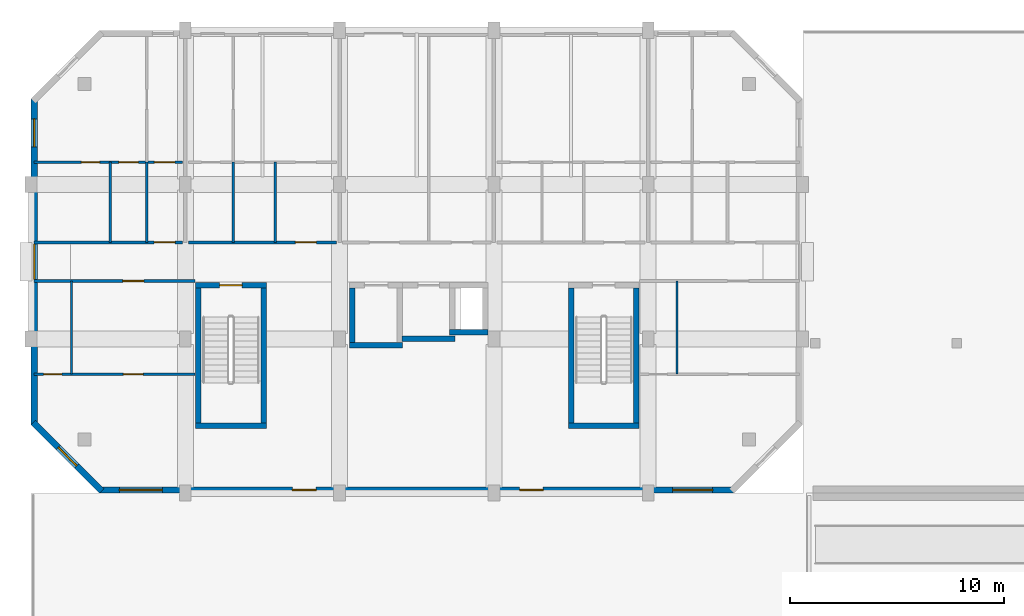
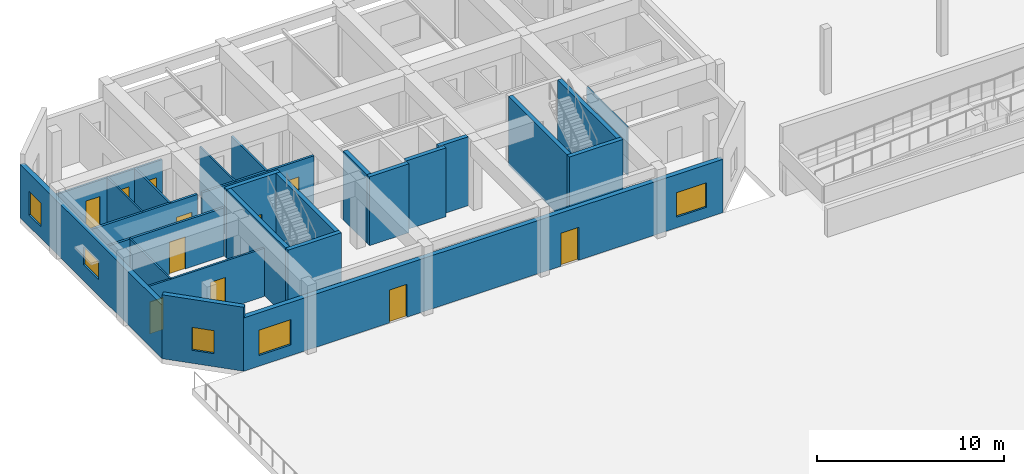
# One storey, part 59 of 85: 25 walls, 11 doors, 5 windows, 16 openings.
"""IFC4 building model written with IfcOpenShell, lengths in metres."""

from ifc_helpers import new_model, si_unit, direction, frame, frame_2d, origin, place, context, subcontext, project, spatial, rectangle, extrude, material, layer, layer_set, type_object, element, fill, save


model = new_model("IFC4")

# Units and contexts
model_context = context("Model", 3, precision=1e-05, world=origin(), true_north=direction((0.0, 1.0)))
body_context = subcontext(model_context, "Body", "Model", "MODEL_VIEW")
ifc_project = project(units=[si_unit("LENGTHUNIT", "METRE"), si_unit("AREAUNIT", "SQUARE_METRE"), si_unit("VOLUMEUNIT", "CUBIC_METRE"), si_unit("PLANEANGLEUNIT", "RADIAN"), si_unit("MASSUNIT", "GRAM", prefix="KILO")], contexts=[model_context])

# Site, building, storey
site_placement = place(None, origin())
site = spatial("IfcSite", under=ifc_project, at=site_placement, CompositionType="ELEMENT")
building_placement = place(site_placement, origin())
building = spatial("IfcBuilding", under=site, at=building_placement, Name="Ochrevale Crest", CompositionType="ELEMENT")
storey_placement = place(building_placement, origin())
storey = spatial("IfcBuildingStorey", under=building, at=storey_placement, Name="L00", CompositionType="ELEMENT", Elevation=0.0)

# Wall, opening, door
ifc_material_1 = material(Name="Gypsum plasterboard", Category="gypsum")
ifc_layer_1 = layer(ifc_material_1, 0.139892578125)
ifc_layer_set_1 = layer_set([ifc_layer_1], Name="Gypsum plasterboard")
wall_type_1 = type_object("IfcWallType", Name="WL-COR-140", PredefinedType="PARTITIONING", material=ifc_layer_set_1)
wall_1_placement = place(storey_placement, frame((0.139892578125, 83.699951171875, 0.0), z_axis=(0.0, 0.0, 1.0), x_axis=(1.0, 0.0, 0.0)))
wall_1 = element("IfcWall", 1, at=wall_1_placement, inside=storey, type_object=wall_type_1, Name="Apartment B-L00-U1 corridor wall", PredefinedType="PARTITIONING", context=body_context, shape_type="SweptSolid", body=[
    extrude(rectangle(XDim=6.920166015625, YDim=0.139892578125, at=frame_2d((3.4599609375, 0.0))), origin(), (0.0, 0.0, 1.0), 3.14990234375),
])
opening_1_placement = place(wall_1_placement, frame((6.5849609375, 0.0, 0.0), z_axis=(0.0, 0.0, 1.0), x_axis=(-1.0, 0.0, 0.0)))
opening_1 = element("IfcOpeningElement", 2, at=opening_1_placement, cuts=wall_1, Name="Opening FD01", PredefinedType="OPENING", context=body_context, shape_type="SweptSolid", body=[
    extrude(rectangle(XDim=0.97998046875, YDim=2.10009765625, at=frame_2d((0.489990234375, 1.050048828125))), frame((0.0, 0.080078125, 0.0), z_axis=(0.0, -1.0, 0.0), x_axis=(1.0, 0.0, 0.0)), (0.0, 0.0, 1.0), 0.159912109375),
])
ifc_material_2 = material(Name="Solid-core FSC hardwood", Category="wood")
door_type_1 = type_object("IfcDoorType", Name="DR-APT-950", OperationType="NOTDEFINED", PredefinedType="DOOR", material=ifc_material_2)
door_1_placement = place(opening_1_placement, origin())
door_1 = element("IfcDoor", 3, at=door_1_placement, inside=storey, type_object=door_type_1, Name="Apartment B-L00-U1 entrance door", OperationType="SINGLE_SWING_RIGHT", OverallHeight=2.10009765625, OverallWidth=0.97998046875, PredefinedType="DOOR", context=body_context, shape_type="SweptSolid", body=[
    extrude(rectangle(XDim=0.97998046875, YDim=2.10009765625, at=frame_2d((0.489990234375, 1.050048828125))), frame((0.0, 0.02490234375, 0.0), z_axis=(0.0, -1.0, 0.0), x_axis=(1.0, 0.0, 0.0)), (0.0, 0.0, 1.0), 0.050048828125),
])
fill(opening_1, door_1)

wall_2_placement = place(storey_placement, frame((7.340087890625, 83.699951171875, 0.0), z_axis=(0.0, 0.0, 1.0), x_axis=(1.0, 0.0, 0.0)))
wall_2 = element("IfcWall", 4, at=wall_2_placement, inside=storey, type_object=wall_type_1, Name="Apartment B-L00-U2 corridor wall", PredefinedType="PARTITIONING", context=body_context, shape_type="SweptSolid", body=[
    extrude(rectangle(XDim=6.919921875, YDim=0.139892578125, at=frame_2d((3.4599609375, 0.0))), origin(), (0.0, 0.0, 1.0), 3.14990234375),
])
opening_2_placement = place(wall_2_placement, frame((4.9951171875, 0.0, 0.0)))
opening_2 = element("IfcOpeningElement", 5, at=opening_2_placement, cuts=wall_2, Name="Opening FD01", PredefinedType="OPENING", context=body_context, shape_type="SweptSolid", body=[
    extrude(rectangle(XDim=0.97998046875, YDim=2.10009765625, at=frame_2d((0.489990234375, 1.050048828125))), frame((0.0, 0.080078125, 0.0), z_axis=(0.0, -1.0, 0.0), x_axis=(1.0, 0.0, 0.0)), (0.0, 0.0, 1.0), 0.159912109375),
])
door_2_placement = place(opening_2_placement, origin())
door_2 = element("IfcDoor", 6, at=door_2_placement, inside=storey, type_object=door_type_1, Name="Apartment B-L00-U2 entrance door", OperationType="SINGLE_SWING_LEFT", OverallHeight=2.10009765625, OverallWidth=0.97998046875, PredefinedType="DOOR", context=body_context, shape_type="SweptSolid", body=[
    extrude(rectangle(XDim=0.97998046875, YDim=2.10009765625, at=frame_2d((0.489990234375, 1.050048828125))), frame((0.0, 0.02490234375, 0.0), z_axis=(0.0, -1.0, 0.0), x_axis=(1.0, 0.0, 0.0)), (0.0, 0.0, 1.0), 0.050048828125),
])
fill(opening_2, door_2)

wall_3_placement = place(storey_placement, frame((0.139892578125, 81.89990234375, 0.0), z_axis=(0.0, 0.0, 1.0), x_axis=(1.0, 0.0, 0.0)))
wall_3 = element("IfcWall", 7, at=wall_3_placement, inside=storey, type_object=wall_type_1, Name="Suite B-L00-CW corridor wall", PredefinedType="PARTITIONING", context=body_context, shape_type="SweptSolid", body=[
    extrude(rectangle(XDim=7.52001953125, YDim=0.139892578125, at=frame_2d((3.760009765625, 0.0))), origin(), (0.0, 0.0, 1.0), 3.14990234375),
])
opening_3_placement = place(wall_3_placement, frame((5.125, 0.0, 0.0), z_axis=(0.0, 0.0, 1.0), x_axis=(-1.0, 0.0, 0.0)))
opening_3 = element("IfcOpeningElement", 8, at=opening_3_placement, cuts=wall_3, Name="Opening FD01", PredefinedType="OPENING", context=body_context, shape_type="SweptSolid", body=[
    extrude(rectangle(XDim=0.97998046875, YDim=2.10009765625, at=frame_2d((0.489990234375, 1.050048828125))), frame((0.0, 0.080078125, 0.0), z_axis=(0.0, -1.0, 0.0), x_axis=(1.0, 0.0, 0.0)), (0.0, 0.0, 1.0), 0.159912109375),
])
door_3_placement = place(opening_3_placement, origin())
door_3 = element("IfcDoor", 9, at=door_3_placement, inside=storey, type_object=door_type_1, Name="Suite B-L00-CW entrance door", OperationType="SINGLE_SWING_RIGHT", OverallHeight=2.10009765625, OverallWidth=0.97998046875, PredefinedType="DOOR", context=body_context, shape_type="SweptSolid", body=[
    extrude(rectangle(XDim=0.97998046875, YDim=2.10009765625, at=frame_2d((0.489990234375, 1.050048828125))), frame((0.0, 0.02490234375, 0.0), z_axis=(0.0, -1.0, 0.0), x_axis=(1.0, 0.0, 0.0)), (0.0, 0.0, 1.0), 0.050048828125),
])
fill(opening_3, door_3)

# Wall
ifc_material_3 = material(Name="Precast concrete C50/60", Category="concrete")
ifc_layer_2 = layer(ifc_material_3, 0.2548828125)
ifc_layer_set_2 = layer_set([ifc_layer_2], Name="Precast concrete C50/60")
wall_type_2 = type_object("IfcWallType", Name="WL-CORE-255", PredefinedType="SHEAR", material=ifc_layer_set_2)
wall_4_placement = place(storey_placement, frame((7.672607421875, 75.14990234375, 0.0), z_axis=(0.0, 0.0, 1.0), x_axis=(1.0, 0.0, 0.0)))
element("IfcWall", 10, at=wall_4_placement, inside=storey, type_object=wall_type_2, Name="Block B L00 Stair 1 precast core shear wall S", PredefinedType="SHEAR", context=body_context, shape_type="SweptSolid", body=[
    extrude(rectangle(XDim=3.304931640625, YDim=0.2548828125, at=frame_2d((1.65234375, 0.0))), origin(), (0.0, 0.0, 1.0), 4.5),
])

# Wall, opening, door
wall_5_placement = place(storey_placement, frame((7.672607421875, 81.699951171875, 0.0), z_axis=(0.0, 0.0, 1.0), x_axis=(1.0, 0.0, 0.0)))
wall_5 = element("IfcWall", 11, at=wall_5_placement, inside=storey, type_object=wall_type_2, Name="Block B L00 Stair 1 precast core shear wall N", PredefinedType="SHEAR", context=body_context, shape_type="SweptSolid", body=[
    extrude(rectangle(XDim=3.304931640625, YDim=0.2548828125, at=frame_2d((1.65234375, 0.0))), origin(), (0.0, 0.0, 1.0), 4.5),
])
opening_4_placement = place(wall_5_placement, frame((2.177490234375, 0.0, 0.0), z_axis=(0.0, 0.0, 1.0), x_axis=(-1.0, 0.0, 0.0)))
opening_4 = element("IfcOpeningElement", 12, at=opening_4_placement, cuts=wall_5, Name="Opening FD03", PredefinedType="OPENING", context=body_context, shape_type="SweptSolid", body=[
    extrude(rectangle(XDim=1.050048828125, YDim=2.1201171875, at=frame_2d((0.52490234375, 1.06005859375))), frame((0.0, 0.137451171875, 0.0), z_axis=(0.0, -1.0, 0.0), x_axis=(1.0, 0.0, 0.0)), (0.0, 0.0, 1.0), 0.27490234375),
])
door_type_2 = type_object("IfcDoorType", Name="DR-ST-1050", OperationType="NOTDEFINED", PredefinedType="DOOR", material=ifc_material_2)
door_4_placement = place(opening_4_placement, origin())
door_4 = element("IfcDoor", 13, at=door_4_placement, inside=storey, type_object=door_type_2, Name="Block B L00 fire stair 1 door", OperationType="SINGLE_SWING_RIGHT", OverallHeight=2.1201171875, OverallWidth=1.050048828125, PredefinedType="DOOR", context=body_context, shape_type="SweptSolid", body=[
    extrude(rectangle(XDim=1.050048828125, YDim=2.1201171875, at=frame_2d((0.52490234375, 1.06005859375))), frame((0.0, 0.02490234375, 0.0), z_axis=(0.0, -1.0, 0.0), x_axis=(1.0, 0.0, 0.0)), (0.0, 0.0, 1.0), 0.050048828125),
])
fill(opening_4, door_4)

# Walls
for number, where, z_axis, x_axis, name in (
    (14, (7.800048828125, 75.277587890625, 0.0), (0.0, 0.0, 1.0), (0.0, 1.0, 0.0), "Block B L00 Stair 1 precast core shear wall W"),
    (15, (10.85009765625, 75.277587890625, 0.0), (0.0, 0.0, 1.0), (0.0, 1.0, 0.0), "Block B L00 Stair 1 precast core shear wall E"),
):
    element("IfcWall", number, at=place(storey_placement, frame(where, z_axis=z_axis, x_axis=x_axis)), inside=storey, type_object=wall_type_2, Name=name, PredefinedType="SHEAR", context=body_context, shape_type="SweptSolid", body=[
        extrude(rectangle(XDim=6.294921875, YDim=0.2548828125, at=frame_2d((3.1474609375, 0.0))), origin(), (0.0, 0.0, 1.0), 4.5),
    ])
wall_6_placement = place(storey_placement, frame((25.072509765625, 75.14990234375, 0.0), z_axis=(0.0, 0.0, 1.0), x_axis=(1.0, 0.0, 0.0)))
element("IfcWall", 16, at=wall_6_placement, inside=storey, type_object=wall_type_2, Name="Block B L00 Stair 2 precast core shear wall S", PredefinedType="SHEAR", context=body_context, shape_type="SweptSolid", body=[
    extrude(rectangle(XDim=3.304931640625, YDim=0.2548828125, at=frame_2d((1.65234375, 0.0))), origin(), (0.0, 0.0, 1.0), 4.5),
])
for number, where, z_axis, x_axis, name in (
    (17, (25.199951171875, 75.277587890625, 0.0), (0.0, 0.0, 1.0), (0.0, 1.0, 0.0), "Block B L00 Stair 2 precast core shear wall W"),
    (18, (28.25, 75.277587890625, 0.0), (0.0, 0.0, 1.0), (0.0, 1.0, 0.0), "Block B L00 Stair 2 precast core shear wall E"),
):
    element("IfcWall", number, at=place(storey_placement, frame(where, z_axis=z_axis, x_axis=x_axis)), inside=storey, type_object=wall_type_2, Name=name, PredefinedType="SHEAR", context=body_context, shape_type="SweptSolid", body=[
        extrude(rectangle(XDim=6.294921875, YDim=0.2548828125, at=frame_2d((3.1474609375, 0.0))), origin(), (0.0, 0.0, 1.0), 4.5),
    ])
wall_7_placement = place(storey_placement, frame((14.87255859375, 78.89990234375, 0.0), z_axis=(0.0, 0.0, 1.0), x_axis=(1.0, 0.0, 0.0)))
element("IfcWall", 19, at=wall_7_placement, inside=storey, type_object=wall_type_2, Name="Block B L00 Lift 1 precast shaft shear wall S", PredefinedType="SHEAR", context=body_context, shape_type="SweptSolid", body=[
    extrude(rectangle(XDim=2.454833984375, YDim=0.2548828125, at=frame_2d((1.2275390625, 0.0))), origin(), (0.0, 0.0, 1.0), 4.5),
])
wall_8_placement = place(storey_placement, frame((15.0, 79.027587890625, 0.0), z_axis=(0.0, 0.0, 1.0), x_axis=(0.0, 1.0, 0.0)))
element("IfcWall", 20, at=wall_8_placement, inside=storey, type_object=wall_type_2, Name="Block B L00 Lift 1 precast shaft shear wall W", PredefinedType="SHEAR", context=body_context, shape_type="SweptSolid", body=[
    extrude(rectangle(XDim=2.544921875, YDim=0.2548828125, at=frame_2d((1.2724609375, 0.0))), origin(), (0.0, 0.0, 1.0), 4.5),
])
wall_9_placement = place(storey_placement, frame((17.322509765625, 79.199951171875, 0.0), z_axis=(0.0, 0.0, 1.0), x_axis=(1.0, 0.0, 0.0)))
element("IfcWall", 21, at=wall_9_placement, inside=storey, type_object=wall_type_2, Name="Block B L00 Lift 2 precast shaft shear wall S", PredefinedType="SHEAR", context=body_context, shape_type="SweptSolid", body=[
    extrude(rectangle(XDim=2.455078125, YDim=0.2548828125, at=frame_2d((1.2275390625, 0.0))), origin(), (0.0, 0.0, 1.0), 4.5),
])
wall_10_placement = place(storey_placement, frame((19.5224609375, 79.5, 0.0), z_axis=(0.0, 0.0, 1.0), x_axis=(1.0, 0.0, 0.0)))
element("IfcWall", 22, at=wall_10_placement, inside=storey, type_object=wall_type_2, Name="Block B L00 services riser shaft core wall S", PredefinedType="SHEAR", context=body_context, shape_type="SweptSolid", body=[
    extrude(rectangle(XDim=1.804931640625, YDim=0.2548828125, at=frame_2d((0.90234375, 0.0))), origin(), (0.0, 0.0, 1.0), 4.5),
])

# Wall, openings, doors, windows
ifc_material_4 = material(Name="Clay face brickwork", Category="masonry")
ifc_layer_3 = layer(ifc_material_4, 0.2900390625)
ifc_layer_set_3 = layer_set([ifc_layer_3], Name="Clay face brickwork")
wall_type_3 = type_object("IfcWallType", Name="WL-EXT-BRICK-290", PredefinedType="SOLIDWALL", material=ifc_layer_set_3)
wall_11_placement = place(storey_placement, frame((3.199951171875, 72.14501953125, 0.0), z_axis=(0.0, 0.0, 1.0), x_axis=(1.0, 0.0, 0.0)))
wall_11 = element("IfcWall", 23, at=wall_11_placement, inside=storey, type_object=wall_type_3, Name="Block B L00 external facade wall E1", PredefinedType="SOLIDWALL", context=body_context, shape_type="SweptSolid", body=[
    extrude(rectangle(XDim=29.60009765625, YDim=0.2900390625, at=frame_2d((14.800048828125, 0.0))), origin(), (0.0, 0.0, 1.0), 3.47998046875),
])
opening_5_placement = place(wall_11_placement, frame((10.10009765625, 0.0, 0.0), z_axis=(0.0, 0.0, 1.0), x_axis=(-1.0, 0.0, 0.0)))
opening_5 = element("IfcOpeningElement", 24, at=opening_5_placement, cuts=wall_11, Name="Opening ED06", PredefinedType="OPENING", context=body_context, shape_type="SweptSolid", body=[
    extrude(rectangle(XDim=1.10009765625, YDim=2.14990234375, at=frame_2d((0.550048828125, 1.074951171875))), frame((0.0, 0.155029296875, 0.0), z_axis=(0.0, -1.0, 0.0), x_axis=(1.0, 0.0, 0.0)), (0.0, 0.0, 1.0), 0.31005859375),
])
opening_6_placement = place(wall_11_placement, frame((20.7001953125, 0.0, 0.0), z_axis=(0.0, 0.0, 1.0), x_axis=(-1.0, 0.0, 0.0)))
opening_6 = element("IfcOpeningElement", 25, at=opening_6_placement, cuts=wall_11, Name="Opening ED06", PredefinedType="OPENING", context=body_context, shape_type="SweptSolid", body=[
    extrude(rectangle(XDim=1.10009765625, YDim=2.14990234375, at=frame_2d((0.550048828125, 1.074951171875))), frame((0.0, 0.155029296875, 0.0), z_axis=(0.0, -1.0, 0.0), x_axis=(1.0, 0.0, 0.0)), (0.0, 0.0, 1.0), 0.31005859375),
])
opening_7_placement = place(wall_11_placement, frame((26.742431640625, 0.0, 0.699951171875)))
opening_7 = element("IfcOpeningElement", 26, at=opening_7_placement, cuts=wall_11, Name="Opening W11", PredefinedType="OPENING", context=body_context, shape_type="SweptSolid", body=[
    extrude(rectangle(XDim=1.860107421875, YDim=1.60009765625, at=frame_2d((0.93017578125, 0.800048828125))), frame((0.0, 0.155029296875, 0.0), z_axis=(0.0, -1.0, 0.0), x_axis=(1.0, 0.0, 0.0)), (0.0, 0.0, 1.0), 0.31005859375),
])
opening_8_placement = place(wall_11_placement, frame((0.927490234375, 0.0, 0.699951171875)))
opening_8 = element("IfcOpeningElement", 27, at=opening_8_placement, cuts=wall_11, Name="Opening W12", PredefinedType="OPENING", context=body_context, shape_type="SweptSolid", body=[
    extrude(rectangle(XDim=2.0, YDim=1.64990234375, at=frame_2d((1.0, 0.824951171875))), frame((0.0, 0.155029296875, 0.0), z_axis=(0.0, -1.0, 0.0), x_axis=(1.0, 0.0, 0.0)), (0.0, 0.0, 1.0), 0.31005859375),
])
ifc_material_5 = material(Name="Anodised aluminium 6063-T5 and toughened glass", Category="aluminium")
door_type_3 = type_object("IfcDoorType", Name="DR-EXT-1100", OperationType="NOTDEFINED", PredefinedType="DOOR", material=ifc_material_5)
door_5_placement = place(opening_5_placement, origin())
door_5 = element("IfcDoor", 28, at=door_5_placement, inside=storey, type_object=door_type_3, Name="Block B fire-stair 1 final exit door", OperationType="SINGLE_SWING_LEFT", OverallHeight=2.14990234375, OverallWidth=1.10009765625, PredefinedType="DOOR", context=body_context, shape_type="SweptSolid", body=[
    extrude(rectangle(XDim=1.10009765625, YDim=2.14990234375, at=frame_2d((0.550048828125, 1.074951171875))), frame((0.0, 0.02490234375, 0.0), z_axis=(0.0, -1.0, 0.0), x_axis=(1.0, 0.0, 0.0)), (0.0, 0.0, 1.0), 0.050048828125),
])
fill(opening_5, door_5)
door_6_placement = place(opening_6_placement, origin())
door_6 = element("IfcDoor", 29, at=door_6_placement, inside=storey, type_object=door_type_3, Name="Block B fire-stair 2 final exit door", OperationType="SINGLE_SWING_RIGHT", OverallHeight=2.14990234375, OverallWidth=1.10009765625, PredefinedType="DOOR", context=body_context, shape_type="SweptSolid", body=[
    extrude(rectangle(XDim=1.10009765625, YDim=2.14990234375, at=frame_2d((0.550048828125, 1.074951171875))), frame((0.0, 0.02490234375, 0.0), z_axis=(0.0, -1.0, 0.0), x_axis=(1.0, 0.0, 0.0)), (0.0, 0.0, 1.0), 0.050048828125),
])
fill(opening_6, door_6)
ifc_material_6 = material(Name="Anodised aluminium 6063-T5 and low-E double glazing", Category="aluminium")
window_type_1 = type_object("IfcWindowType", Name="WIN-W11", PartitioningType="SINGLE_PANEL", PredefinedType="WINDOW", material=ifc_material_6)
window_1_placement = place(opening_7_placement, origin())
window_1 = element("IfcWindow", 30, at=window_1_placement, inside=storey, type_object=window_type_1, Name="Block B L00 Suite B-L00-CE Master Bedroom window", OverallHeight=1.60009765625, OverallWidth=1.860107421875, PartitioningType="SINGLE_PANEL", PredefinedType="WINDOW", context=body_context, shape_type="SweptSolid", body=[
    extrude(rectangle(XDim=1.860107421875, YDim=1.60009765625, at=frame_2d((0.93017578125, 0.800048828125))), frame((0.0, 0.030029296875, 0.0), z_axis=(0.0, -1.0, 0.0), x_axis=(1.0, 0.0, 0.0)), (0.0, 0.0, 1.0), 0.06005859375),
])
fill(opening_7, window_1)
window_type_2 = type_object("IfcWindowType", Name="WIN-W12", PartitioningType="SINGLE_PANEL", PredefinedType="WINDOW", material=ifc_material_6)
window_2_placement = place(opening_8_placement, origin())
window_2 = element("IfcWindow", 31, at=window_2_placement, inside=storey, type_object=window_type_2, Name="Block B L00 Suite B-L00-CW Garden Alcove Studio window", OverallHeight=1.64990234375, OverallWidth=2.0, PartitioningType="SINGLE_PANEL", PredefinedType="WINDOW", context=body_context, shape_type="SweptSolid", body=[
    extrude(rectangle(XDim=2.0, YDim=1.64990234375, at=frame_2d((1.0, 0.824951171875))), frame((0.0, 0.030029296875, 0.0), z_axis=(0.0, -1.0, 0.0), x_axis=(1.0, 0.0, 0.0)), (0.0, 0.0, 1.0), 0.06005859375),
])
fill(opening_8, window_2)

# Wall, openings, windows
wall_12_placement = place(storey_placement, frame((0.14501953125, 90.39990234375, 0.0), z_axis=(0.0, 0.0, 1.0), x_axis=(0.0, -1.0, 0.0)))
wall_12 = element("IfcWall", 32, at=wall_12_placement, inside=storey, type_object=wall_type_3, Name="Block B L00 external facade wall E7", PredefinedType="SOLIDWALL", context=body_context, shape_type="SweptSolid", body=[
    extrude(rectangle(XDim=15.199951171875, YDim=0.2900390625, at=frame_2d((7.60009765625, 0.0))), origin(), (0.0, 0.0, 1.0), 3.47998046875),
])
opening_9_placement = place(wall_12_placement, frame((6.77490234375, 0.0, 1.050048828125)))
opening_9 = element("IfcOpeningElement", 33, at=opening_9_placement, cuts=wall_12, Name="Opening W19", PredefinedType="OPENING", context=body_context, shape_type="SweptSolid", body=[
    extrude(rectangle(XDim=1.64990234375, YDim=1.14990234375, at=frame_2d((0.824951171875, 0.574951171875))), frame((0.0, 0.155029296875, 0.0), z_axis=(0.0, -1.0, 0.0), x_axis=(1.0, 0.0, 0.0)), (0.0, 0.0, 1.0), 0.31005859375),
])
opening_10_placement = place(wall_12_placement, frame((0.93994140625, 0.0, 0.75)))
opening_10 = element("IfcOpeningElement", 34, at=opening_10_placement, cuts=wall_12, Name="Opening W30", PredefinedType="OPENING", context=body_context, shape_type="SweptSolid", body=[
    extrude(rectangle(XDim=1.300048828125, YDim=1.550048828125, at=frame_2d((0.64990234375, 0.77490234375))), frame((0.0, 0.155029296875, 0.0), z_axis=(0.0, -1.0, 0.0), x_axis=(1.0, 0.0, 0.0)), (0.0, 0.0, 1.0), 0.31005859375),
])
window_type_3 = type_object("IfcWindowType", Name="WIN-W19", PartitioningType="SINGLE_PANEL", PredefinedType="WINDOW", material=ifc_material_6)
window_3_placement = place(opening_9_placement, origin())
window_3 = element("IfcWindow", 35, at=window_3_placement, inside=storey, type_object=window_type_3, Name="Block B L00 corridor end daylight window W", OverallHeight=1.14990234375, OverallWidth=1.64990234375, PartitioningType="SINGLE_PANEL", PredefinedType="WINDOW", context=body_context, shape_type="SweptSolid", body=[
    extrude(rectangle(XDim=1.64990234375, YDim=1.14990234375, at=frame_2d((0.824951171875, 0.574951171875))), frame((0.0, 0.030029296875, 0.0), z_axis=(0.0, -1.0, 0.0), x_axis=(1.0, 0.0, 0.0)), (0.0, 0.0, 1.0), 0.06005859375),
])
fill(opening_9, window_3)
window_type_4 = type_object("IfcWindowType", Name="WIN-W30", PartitioningType="SINGLE_PANEL", PredefinedType="WINDOW", material=ifc_material_6)
window_4_placement = place(opening_10_placement, origin())
window_4 = element("IfcWindow", 36, at=window_4_placement, inside=storey, type_object=window_type_4, Name="Block B L00 side suite window W", OverallHeight=1.550048828125, OverallWidth=1.300048828125, PartitioningType="SINGLE_PANEL", PredefinedType="WINDOW", context=body_context, shape_type="SweptSolid", body=[
    extrude(rectangle(XDim=1.300048828125, YDim=1.550048828125, at=frame_2d((0.64990234375, 0.77490234375))), frame((0.0, 0.030029296875, 0.0), z_axis=(0.0, -1.0, 0.0), x_axis=(1.0, 0.0, 0.0)), (0.0, 0.0, 1.0), 0.06005859375),
])
fill(opening_10, window_4)

# Wall, opening, window
wall_13_placement = place(storey_placement, frame((0.1025390625, 75.302490234375, 0.0), z_axis=(0.0, 0.0, 1.0), x_axis=(0.707106781187, -0.707106781187, 0.0)))
wall_13 = element("IfcWall", 37, at=wall_13_placement, inside=storey, type_object=wall_type_3, Name="Block B L00 external facade wall E8", PredefinedType="SOLIDWALL", context=body_context, shape_type="SweptSolid", body=[
    extrude(rectangle(XDim=4.525390625, YDim=0.2900390625, at=frame_2d((2.2626953125, 0.0))), origin(), (0.0, 0.0, 1.0), 4.175048828125),
])
opening_11_placement = place(wall_13_placement, frame((1.652587890625, 0.0, 0.85009765625)))
opening_11 = element("IfcOpeningElement", 38, at=opening_11_placement, cuts=wall_13, Name="Opening W06", PredefinedType="OPENING", context=body_context, shape_type="SweptSolid", body=[
    extrude(rectangle(XDim=1.219970703125, YDim=1.5, at=frame_2d((0.60986328125, 0.75))), frame((0.0, 0.155029296875, 0.0), z_axis=(0.0, -1.0, 0.0), x_axis=(1.0, 0.0, 0.0)), (0.0, 0.0, 1.0), 0.31005859375),
])
window_type_5 = type_object("IfcWindowType", Name="WIN-W06", PartitioningType="SINGLE_PANEL", PredefinedType="WINDOW", material=ifc_material_6)
window_5_placement = place(opening_11_placement, origin())
window_5 = element("IfcWindow", 39, at=window_5_placement, inside=storey, type_object=window_type_5, Name="Block B L00 corner room casement window 8", OverallHeight=1.5, OverallWidth=1.219970703125, PartitioningType="SINGLE_PANEL", PredefinedType="WINDOW", context=body_context, shape_type="SweptSolid", body=[
    extrude(rectangle(XDim=1.219970703125, YDim=1.5, at=frame_2d((0.60986328125, 0.75))), frame((0.0, 0.030029296875, 0.0), z_axis=(0.0, -1.0, 0.0), x_axis=(1.0, 0.0, 0.0)), (0.0, 0.0, 1.0), 0.06005859375),
])
fill(opening_11, window_5)

# Wall
ifc_layer_4 = layer(ifc_material_1, 0.1201171875)
ifc_layer_set_4 = layer_set([ifc_layer_4], Name="Gypsum plasterboard")
wall_type_4 = type_object("IfcWallType", Name="WL-PART-120", PredefinedType="PARTITIONING", material=ifc_layer_set_4)
wall_14_placement = place(storey_placement, frame((5.409912109375, 83.699951171875, 0.0), z_axis=(0.0, 0.0, 1.0), x_axis=(0.0, 1.0, 0.0)))
element("IfcWall", 40, at=wall_14_placement, inside=storey, type_object=wall_type_4, Name="Apartment B-L00-U1 kitchen-foyer wall", PredefinedType="PARTITIONING", context=body_context, shape_type="SweptSolid", body=[
    extrude(rectangle(XDim=3.75, YDim=0.1201171875, at=frame_2d((1.875, 0.0))), origin(), (0.0, 0.0, 1.0), 3.14990234375),
])

# Wall, openings, doors
wall_15_placement = place(storey_placement, frame((0.139892578125, 87.449951171875, 0.0), z_axis=(0.0, 0.0, 1.0), x_axis=(1.0, 0.0, 0.0)))
wall_15 = element("IfcWall", 41, at=wall_15_placement, inside=storey, type_object=wall_type_4, Name="Apartment B-L00-U1 central partition", PredefinedType="PARTITIONING", context=body_context, shape_type="SweptSolid", body=[
    extrude(rectangle(XDim=6.920166015625, YDim=0.1201171875, at=frame_2d((3.4599609375, 0.0))), origin(), (0.0, 0.0, 1.0), 3.14990234375),
])
opening_12_placement = place(wall_15_placement, frame((2.2099609375, 0.0, 0.0)))
opening_12 = element("IfcOpeningElement", 42, at=opening_12_placement, cuts=wall_15, Name="Opening ID01", PredefinedType="OPENING", context=body_context, shape_type="SweptSolid", body=[
    extrude(rectangle(XDim=0.85009765625, YDim=2.080078125, at=frame_2d((0.425048828125, 1.0400390625))), frame((0.0, 0.070068359375, 0.0), z_axis=(0.0, -1.0, 0.0), x_axis=(1.0, 0.0, 0.0)), (0.0, 0.0, 1.0), 0.14013671875),
])
opening_13_placement = place(wall_15_placement, frame((4.864990234375, 0.0, 0.0), z_axis=(0.0, 0.0, 1.0), x_axis=(-1.0, 0.0, 0.0)))
opening_13 = element("IfcOpeningElement", 43, at=opening_13_placement, cuts=wall_15, Name="Opening ID02", PredefinedType="OPENING", context=body_context, shape_type="SweptSolid", body=[
    extrude(rectangle(XDim=0.89990234375, YDim=2.080078125, at=frame_2d((0.449951171875, 1.0400390625))), frame((0.0, 0.070068359375, 0.0), z_axis=(0.0, -1.0, 0.0), x_axis=(1.0, 0.0, 0.0)), (0.0, 0.0, 1.0), 0.14013671875),
])
opening_14_placement = place(wall_15_placement, frame((5.6201171875, 0.0, 0.0)))
opening_14 = element("IfcOpeningElement", 44, at=opening_14_placement, cuts=wall_15, Name="Opening ID06", PredefinedType="OPENING", context=body_context, shape_type="SweptSolid", body=[
    extrude(rectangle(XDim=0.949951171875, YDim=2.080078125, at=frame_2d((0.47509765625, 1.0400390625))), frame((0.0, 0.070068359375, 0.0), z_axis=(0.0, -1.0, 0.0), x_axis=(1.0, 0.0, 0.0)), (0.0, 0.0, 1.0), 0.14013671875),
])
door_type_4 = type_object("IfcDoorType", Name="DR-INT-900", OperationType="NOTDEFINED", PredefinedType="DOOR", material=ifc_material_2)
door_7_placement = place(opening_13_placement, origin())
door_7 = element("IfcDoor", 45, at=door_7_placement, inside=storey, type_object=door_type_4, Name="Apartment B-L00-U1 Kitchen door", OperationType="SINGLE_SWING_RIGHT", OverallHeight=2.080078125, OverallWidth=0.89990234375, PredefinedType="DOOR", context=body_context, shape_type="SweptSolid", body=[
    extrude(rectangle(XDim=0.89990234375, YDim=2.080078125, at=frame_2d((0.449951171875, 1.0400390625))), frame((0.0, 0.02490234375, 0.0), z_axis=(0.0, -1.0, 0.0), x_axis=(1.0, 0.0, 0.0)), (0.0, 0.0, 1.0), 0.050048828125),
])
fill(opening_13, door_7)
door_type_5 = type_object("IfcDoorType", Name="DR-INT-950", OperationType="NOTDEFINED", PredefinedType="DOOR", material=ifc_material_2)
door_8_placement = place(opening_14_placement, origin())
door_8 = element("IfcDoor", 46, at=door_8_placement, inside=storey, type_object=door_type_5, Name="Apartment B-L00-U1 Living Foyer door", OperationType="SINGLE_SWING_LEFT", OverallHeight=2.080078125, OverallWidth=0.949951171875, PredefinedType="DOOR", context=body_context, shape_type="SweptSolid", body=[
    extrude(rectangle(XDim=0.949951171875, YDim=2.080078125, at=frame_2d((0.47509765625, 1.0400390625))), frame((0.0, 0.02490234375, 0.0), z_axis=(0.0, -1.0, 0.0), x_axis=(1.0, 0.0, 0.0)), (0.0, 0.0, 1.0), 0.050048828125),
])
fill(opening_14, door_8)
door_type_6 = type_object("IfcDoorType", Name="DR-WC-850", OperationType="NOTDEFINED", PredefinedType="DOOR", material=ifc_material_2)
door_9_placement = place(opening_12_placement, origin())
door_9 = element("IfcDoor", 47, at=door_9_placement, inside=storey, type_object=door_type_6, Name="Apartment B-L00-U1 Bathroom door", OperationType="SINGLE_SWING_LEFT", OverallHeight=2.080078125, OverallWidth=0.85009765625, PredefinedType="DOOR", context=body_context, shape_type="SweptSolid", body=[
    extrude(rectangle(XDim=0.85009765625, YDim=2.080078125, at=frame_2d((0.425048828125, 1.0400390625))), frame((0.0, 0.02490234375, 0.0), z_axis=(0.0, -1.0, 0.0), x_axis=(1.0, 0.0, 0.0)), (0.0, 0.0, 1.0), 0.050048828125),
])
fill(opening_12, door_9)

# Wall
wall_16_placement = place(storey_placement, frame((11.389892578125, 83.699951171875, 0.0), z_axis=(0.0, 0.0, 1.0), x_axis=(0.0, 1.0, 0.0)))
element("IfcWall", 48, at=wall_16_placement, inside=storey, type_object=wall_type_4, Name="Apartment B-L00-U2 kitchen-foyer wall", PredefinedType="PARTITIONING", context=body_context, shape_type="SweptSolid", body=[
    extrude(rectangle(XDim=3.75, YDim=0.1201171875, at=frame_2d((1.875, 0.0))), origin(), (0.0, 0.0, 1.0), 3.14990234375),
])

# Wall, openings, doors
wall_17_placement = place(storey_placement, frame((0.139892578125, 77.550048828125, 0.0), z_axis=(0.0, 0.0, 1.0), x_axis=(1.0, 0.0, 0.0)))
wall_17 = element("IfcWall", 49, at=wall_17_placement, inside=storey, type_object=wall_type_4, Name="Suite B-L00-CW internal wall", PredefinedType="PARTITIONING", context=body_context, shape_type="SweptSolid", body=[
    extrude(rectangle(XDim=7.52001953125, YDim=0.1201171875, at=frame_2d((3.760009765625, 0.0))), origin(), (0.0, 0.0, 1.0), 3.14990234375),
])
opening_15_placement = place(wall_17_placement, frame((0.449951171875, 0.0, 0.0)))
opening_15 = element("IfcOpeningElement", 50, at=opening_15_placement, cuts=wall_17, Name="Opening ID01", PredefinedType="OPENING", context=body_context, shape_type="SweptSolid", body=[
    extrude(rectangle(XDim=0.85009765625, YDim=2.080078125, at=frame_2d((0.425048828125, 1.0400390625))), frame((0.0, 0.070068359375, 0.0), z_axis=(0.0, -1.0, 0.0), x_axis=(1.0, 0.0, 0.0)), (0.0, 0.0, 1.0), 0.14013671875),
])
opening_16_placement = place(wall_17_placement, frame((5.094970703125, 0.0, 0.0), z_axis=(0.0, 0.0, 1.0), x_axis=(-1.0, 0.0, 0.0)))
opening_16 = element("IfcOpeningElement", 51, at=opening_16_placement, cuts=wall_17, Name="Opening ID04", PredefinedType="OPENING", context=body_context, shape_type="SweptSolid", body=[
    extrude(rectangle(XDim=0.919921875, YDim=2.080078125, at=frame_2d((0.4599609375, 1.0400390625))), frame((0.0, 0.070068359375, 0.0), z_axis=(0.0, -1.0, 0.0), x_axis=(1.0, 0.0, 0.0)), (0.0, 0.0, 1.0), 0.14013671875),
])
door_type_7 = type_object("IfcDoorType", Name="DR-INT-920", OperationType="NOTDEFINED", PredefinedType="DOOR", material=ifc_material_2)
door_10_placement = place(opening_16_placement, origin())
door_10 = element("IfcDoor", 52, at=door_10_placement, inside=storey, type_object=door_type_7, Name="Suite B-L00-CW Garden Alcove Studio door", OperationType="SINGLE_SWING_RIGHT", OverallHeight=2.080078125, OverallWidth=0.919921875, PredefinedType="DOOR", context=body_context, shape_type="SweptSolid", body=[
    extrude(rectangle(XDim=0.919921875, YDim=2.080078125, at=frame_2d((0.4599609375, 1.0400390625))), frame((0.0, 0.02490234375, 0.0), z_axis=(0.0, -1.0, 0.0), x_axis=(1.0, 0.0, 0.0)), (0.0, 0.0, 1.0), 0.050048828125),
])
fill(opening_16, door_10)
door_11_placement = place(opening_15_placement, origin())
door_11 = element("IfcDoor", 53, at=door_11_placement, inside=storey, type_object=door_type_6, Name="Suite B-L00-CW Bathroom door", OperationType="SINGLE_SWING_LEFT", OverallHeight=2.080078125, OverallWidth=0.85009765625, PredefinedType="DOOR", context=body_context, shape_type="SweptSolid", body=[
    extrude(rectangle(XDim=0.85009765625, YDim=2.080078125, at=frame_2d((0.425048828125, 1.0400390625))), frame((0.0, 0.02490234375, 0.0), z_axis=(0.0, -1.0, 0.0), x_axis=(1.0, 0.0, 0.0)), (0.0, 0.0, 1.0), 0.050048828125),
])
fill(opening_15, door_11)

# Walls
ifc_layer_5 = layer(ifc_material_1, 0.10009765625)
ifc_layer_set_5 = layer_set([ifc_layer_5], Name="Gypsum plasterboard")
wall_type_5 = type_object("IfcWallType", Name="WL-WET-100", PredefinedType="PARTITIONING", material=ifc_layer_set_5)
for number, where, z_axis, x_axis, name in (
    (54, (3.699951171875, 83.699951171875, 0.0), (0.0, 0.0, 1.0), (0.0, 1.0, 0.0), "Apartment B-L00-U1 bath-kitchen wall"),
    (55, (9.43994140625, 83.699951171875, 0.0), (0.0, 0.0, 1.0), (0.0, 1.0, 0.0), "Apartment B-L00-U2 bath-kitchen wall"),
):
    element("IfcWall", number, at=place(storey_placement, frame(where, z_axis=z_axis, x_axis=x_axis)), inside=storey, type_object=wall_type_5, Name=name, PredefinedType="PARTITIONING", context=body_context, shape_type="SweptSolid", body=[
        extrude(rectangle(XDim=3.75, YDim=0.10009765625, at=frame_2d((1.875, 0.0))), origin(), (0.0, 0.0, 1.0), 3.14990234375),
    ])
for number, where, z_axis, x_axis, name in (
    (56, (1.889892578125, 77.550048828125, 0.0), (0.0, 0.0, 1.0), (0.0, 1.0, 0.0), "Suite B-L00-CW bathroom divider"),
    (57, (30.139892578125, 77.550048828125, 0.0), (0.0, 0.0, 1.0), (0.0, 1.0, 0.0), "Suite B-L00-CE bathroom divider"),
):
    element("IfcWall", number, at=place(storey_placement, frame(where, z_axis=z_axis, x_axis=x_axis)), inside=storey, type_object=wall_type_5, Name=name, PredefinedType="PARTITIONING", context=body_context, shape_type="SweptSolid", body=[
        extrude(rectangle(XDim=4.349853515625, YDim=0.10009765625, at=frame_2d((2.1748046875, 0.0))), origin(), (0.0, 0.0, 1.0), 3.14990234375),
    ])

save(model, "model.ifc")
